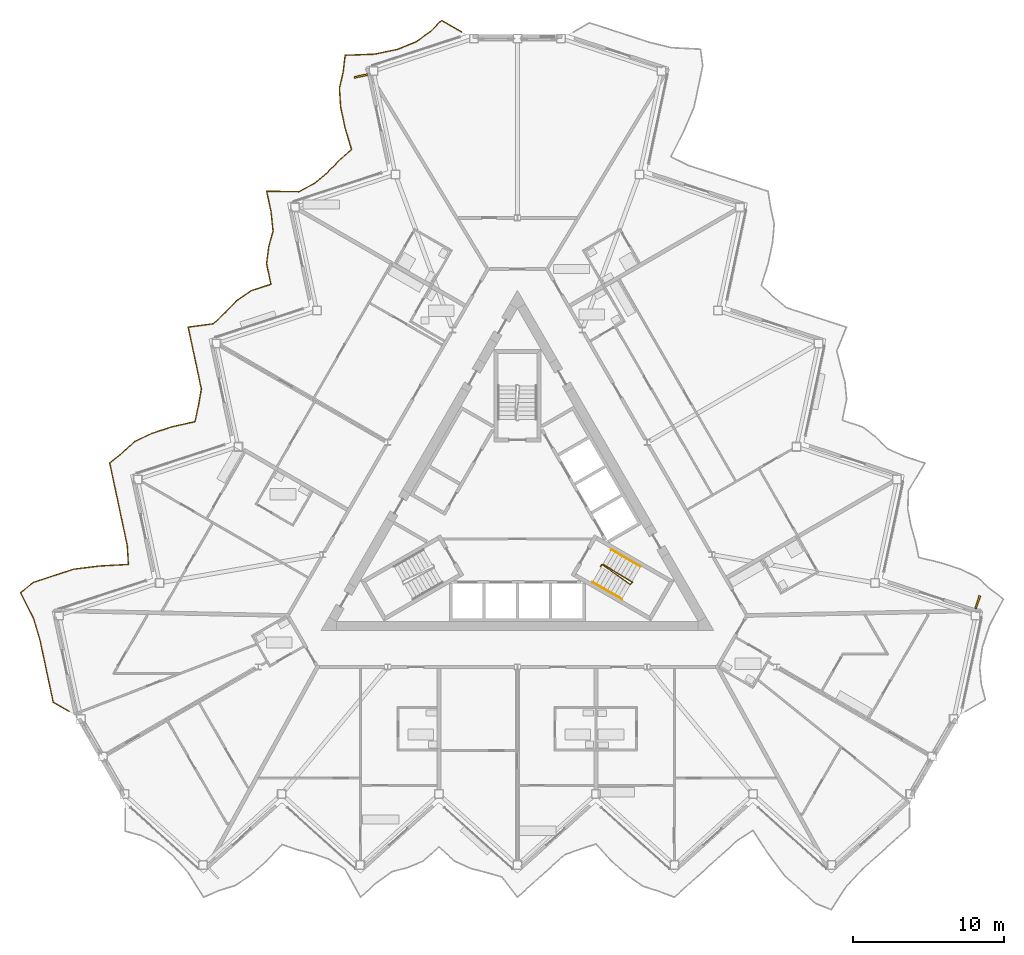
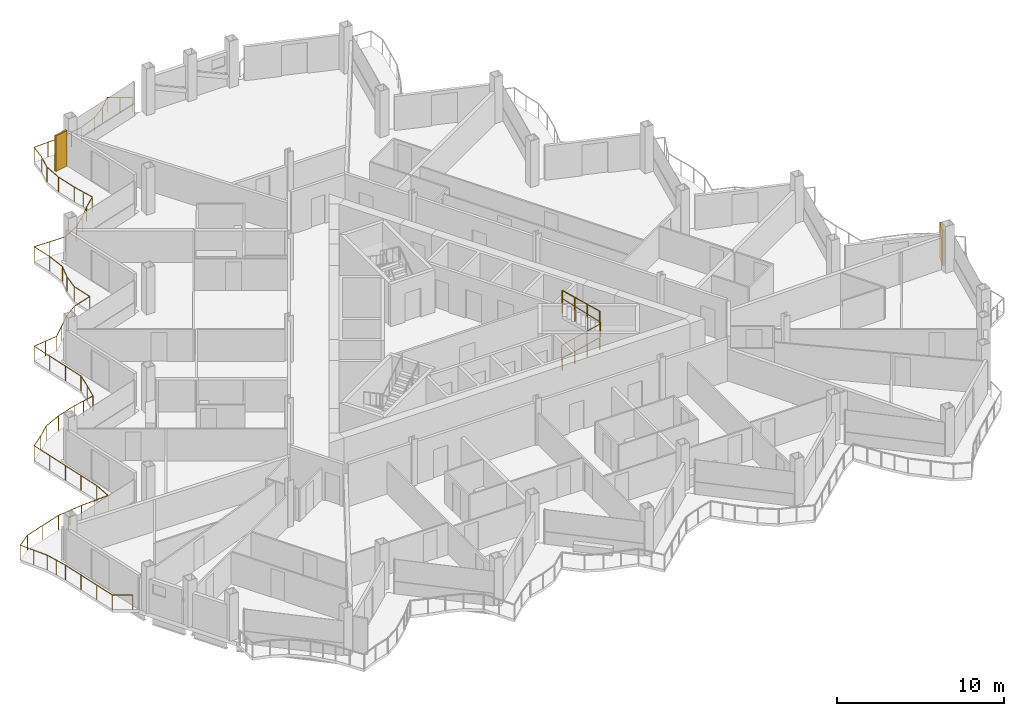
# One storey, part 24 of 27: 4 railings, 2 shading devices.
"""IFC4 building model written with IfcOpenShell, lengths in metres."""

from ifc_helpers import new_model, si_unit, direction, frame, origin, origin_2d, place, context, subcontext, project, spatial, rectangle, circle, extrude, material, layer, layer_set, type_object, element, save


model = new_model("IFC4")

# Units and contexts
model_context = context("Model", 3, precision=1e-05, world=origin(), true_north=direction((0.0, 1.0)))
body_context = subcontext(model_context, "Body", "Model", "MODEL_VIEW")
ifc_project = project(units=[si_unit("LENGTHUNIT", "METRE"), si_unit("AREAUNIT", "SQUARE_METRE"), si_unit("VOLUMEUNIT", "CUBIC_METRE"), si_unit("PLANEANGLEUNIT", "RADIAN"), si_unit("MASSUNIT", "GRAM", prefix="KILO")], contexts=[model_context])

# Site, building, storey
site_placement = place(None, origin())
site = spatial("IfcSite", under=ifc_project, at=site_placement, CompositionType="ELEMENT")
building_placement = place(site_placement, origin())
building = spatial("IfcBuilding", under=site, at=building_placement, Name="Cormorant Prow Tower", CompositionType="ELEMENT")
storey_placement = place(building_placement, frame((0.0, 0.0, 312.0)))
storey = spatial("IfcBuildingStorey", under=building, at=storey_placement, Name="L68", CompositionType="ELEMENT", Elevation=312.0)

# Railings
ifc_material_1 = material(Name="Aluminium 6063-T6", Category="aluminium")
railing_type_1 = type_object("IfcRailingType", Name="Balcony guard 1100", PredefinedType="GUARDRAIL", material=ifc_material_1)
railing_1_placement = place(storey_placement, frame((-3.703369140625, 32.118896484375, 0.0)))
element("IfcRailing", 1, at=railing_1_placement, inside=storey, type_object=railing_type_1, Name="Balcony guard WNW", PredefinedType="GUARDRAIL", context=body_context, shape_type="SweptSolid", body=[
    extrude(circle(Radius=0.02392578125, at=origin_2d()), frame((0.0, 0.0, 1.076171875), z_axis=(-0.865990296034, 0.500060803479, 0.0), x_axis=(-0.500060803479, -0.865990296034, 0.0)), (0.0, 0.0, 1.0), 1.519775390625),
    extrude(circle(Radius=0.02392578125, at=origin_2d()), frame((-1.316162109375, 0.760009765625, 1.076171875), z_axis=(-0.710162172845, -0.704038129834, 0.0), x_axis=(0.704038129834, -0.710162172845, 0.0)), (0.0, 0.0, 1.0), 1.076416015625),
    extrude(circle(Radius=0.02392578125, at=origin_2d()), frame((-2.08056640625, 0.002197265625, 1.076171875), z_axis=(-0.81465682951, -0.579943316311, 0.0), x_axis=(0.579943316311, -0.81465682951, 0.0)), (0.0, 0.0, 1.0), 1.14208984375),
    extrude(circle(Radius=0.02392578125, at=origin_2d()), frame((-3.010986328125, -0.66015625, 1.076171875), z_axis=(-0.92494386987, -0.380103719516, 0.0), x_axis=(0.380103719516, -0.92494386987, 0.0)), (0.0, 0.0, 1.0), 1.3115234375),
    extrude(circle(Radius=0.02392578125, at=origin_2d()), frame((-4.22412109375, -1.15869140625, 1.076171875), z_axis=(-0.9793543677, -0.202150989281, 0.0), x_axis=(0.202150989281, -0.9793543677, 0.0)), (0.0, 0.0, 1.0), 1.562744140625),
    extrude(circle(Radius=0.02392578125, at=origin_2d()), frame((-5.754638671875, -1.474609375, 1.076171875), z_axis=(-0.999265055246, -0.038332093131, 0.0), x_axis=(0.038332093131, -0.999265055246, 0.0)), (0.0, 0.0, 1.0), 1.948974609375),
    extrude(circle(Radius=0.02392578125, at=origin_2d()), frame((-7.7021484375, -1.54931640625, 1.076171875), z_axis=(-0.117041712082, -0.99312699975, 0.0), x_axis=(0.99312699975, -0.117041712082, 0.0)), (0.0, 0.0, 1.0), 1.130615234375),
    extrude(circle(Radius=0.02392578125, at=origin_2d()), frame((-7.83447265625, -2.672119140625, 1.076171875), z_axis=(-0.224301380547, -0.974519825701, 0.0), x_axis=(0.974519825701, -0.224301380547, 0.0)), (0.0, 0.0, 1.0), 1.086181640625),
    extrude(circle(Radius=0.02392578125, at=origin_2d()), frame((-8.078125, -3.730712890625, 1.076171875), z_axis=(0.063036409454, -0.998011227934, 0.0), x_axis=(0.998011227934, 0.063036409454, 0.0)), (0.0, 0.0, 1.0), 1.2470703125),
    extrude(circle(Radius=0.02392578125, at=origin_2d()), frame((-7.99951171875, -4.975341796875, 1.076171875), z_axis=(0.20789427571, -0.978151302267, 0.0), x_axis=(0.978151302267, 0.20789427571, 0.0)), (0.0, 0.0, 1.0), 1.3974609375),
    extrude(circle(Radius=0.02392578125, at=origin_2d()), frame((-7.708984375, -6.34228515625, 1.076171875), z_axis=(0.283244586223, -0.959047707038, 0.0), x_axis=(0.959047707038, 0.283244586223, 0.0)), (0.0, 0.0, 1.0), 1.507568359375),
    extrude(circle(Radius=0.02392578125, at=origin_2d()), frame((-7.281982421875, -7.7880859375, 1.076171875), z_axis=(-0.748932723134, -0.662646041427, 0.0), x_axis=(0.662646041427, -0.748932723134, 0.0)), (0.0, 0.0, 1.0), 1.094970703125),
    extrude(circle(Radius=0.02392578125, at=origin_2d()), frame((-8.10205078125, -8.513671875, 1.076171875), z_axis=(-0.693983566314, -0.719990840002, 0.0), x_axis=(0.719990840002, -0.693983566314, 0.0)), (0.0, 0.0, 1.0), 1.070068359375),
    extrude(circle(Radius=0.02392578125, at=origin_2d()), frame((-8.8447265625, -9.2841796875, 1.076171875), z_axis=(-0.760131936897, -0.64976875772, 0.0), x_axis=(0.64976875772, -0.760131936897, 0.0)), (0.0, 0.0, 1.0), 1.1015625),
    extrude(circle(Radius=0.02392578125, at=origin_2d()), frame((-9.68212890625, -10.0, 1.076171875), z_axis=(-0.881188692955, -0.472764727331, 0.0), x_axis=(0.472764727331, -0.881188692955, 0.0)), (0.0, 0.0, 1.0), 1.221923828125),
    extrude(circle(Radius=0.02392578125, at=origin_2d()), frame((-10.7587890625, -10.57763671875, 1.076171875), z_axis=(-0.999873845917, 0.015883710238, 0.0), x_axis=(-0.015883710238, -0.999873845917, 0.0)), (0.0, 0.0, 1.0), 2.136474609375),
    extrude(circle(Radius=0.02392578125, at=origin_2d()), frame((-12.89501953125, -10.543701171875, 1.076171875), z_axis=(0.208061417088, -0.978115763455, 0.0), x_axis=(0.978115763455, 0.208061417088, 0.0)), (0.0, 0.0, 1.0), 1.3974609375),
    extrude(circle(Radius=0.02392578125, at=origin_2d()), frame((-12.604248046875, -11.91064453125, 1.076171875), z_axis=(0.103872698517, -0.99459060045, 0.0), x_axis=(0.99459060045, 0.103872698517, 0.0)), (0.0, 0.0, 1.0), 1.283203125),
    extrude(circle(Radius=0.02392578125, at=origin_2d()), frame((-12.470947265625, -13.18701171875, 1.076171875), z_axis=(-0.267197772915, -0.963641712541, 0.0), x_axis=(0.963641712541, -0.267197772915, 0.0)), (0.0, 0.0, 1.0), 1.07275390625),
    extrude(circle(Radius=0.02392578125, at=origin_2d()), frame((-12.757568359375, -14.220703125, 1.076171875), z_axis=(-0.128253646975, -0.991741398772, 0.0), x_axis=(0.991741398772, -0.128253646975, 0.0)), (0.0, 0.0, 1.0), 1.125),
    extrude(circle(Radius=0.02392578125, at=origin_2d()), frame((-12.90185546875, -15.33642578125, 1.076171875), z_axis=(0.20785875582, -0.978158850918, 0.0), x_axis=(0.978158850918, 0.20785875582, 0.0)), (0.0, 0.0, 1.0), 1.397705078125),
    extrude(circle(Radius=0.02392578125, at=origin_2d()), frame((-12.611328125, -16.70361328125, 1.076171875), z_axis=(-0.951049473261, -0.309038669765, 0.0), x_axis=(0.309038669765, -0.951049473261, 0.0)), (0.0, 0.0, 1.0), 1.3974609375),
    extrude(circle(Radius=0.02392578125, at=origin_2d()), frame((-13.9404296875, -17.135498046875, 1.076171875), z_axis=(-0.815520159439, -0.578728666604, 0.0), x_axis=(0.578728666604, -0.815520159439, 0.0)), (0.0, 0.0, 1.0), 1.142333984375),
    extrude(circle(Radius=0.02392578125, at=origin_2d()), frame((-14.8720703125, -17.796630859375, 1.076171875), z_axis=(-0.704259482278, -0.709942660799, 0.0), x_axis=(0.709942660799, -0.704259482278, 0.0)), (0.0, 0.0, 1.0), 1.073974609375),
    extrude(circle(Radius=0.02392578125, at=origin_2d()), frame((-15.62841796875, -18.55908203125, 1.076171875), z_axis=(-0.717321359656, -0.696742468191, 0.0), x_axis=(0.696742468191, -0.717321359656, 0.0)), (0.0, 0.0, 1.0), 1.07958984375),
    extrude(circle(Radius=0.02392578125, at=origin_2d()), frame((-16.40283203125, -19.311279296875, 1.076171875), z_axis=(-0.991079275341, -0.133273665775, 0.0), x_axis=(0.133273665775, -0.991079275341, 0.0)), (0.0, 0.0, 1.0), 1.699951171875),
    extrude(circle(Radius=0.02392578125, at=origin_2d()), frame((-18.087646484375, -19.537841796875, 1.076171875), z_axis=(0.20789427571, -0.978151302267, 0.0), x_axis=(0.978151302267, 0.20789427571, 0.0)), (0.0, 0.0, 1.0), 1.3974609375),
    extrude(circle(Radius=0.02392578125, at=origin_2d()), frame((-17.797119140625, -20.90478515625, 1.076171875), z_axis=(0.20789427571, -0.978151302267, 0.0), x_axis=(0.978151302267, 0.20789427571, 0.0)), (0.0, 0.0, 1.0), 1.3974609375),
    extrude(circle(Radius=0.02392578125, at=origin_2d()), frame((-17.506591796875, -22.271728515625, 1.076171875), z_axis=(0.20785875582, -0.978158850918, 0.0), x_axis=(0.978158850918, 0.20785875582, 0.0)), (0.0, 0.0, 1.0), 1.397705078125),
    extrude(circle(Radius=0.02392578125, at=origin_2d()), frame((-17.216064453125, -23.638916015625, 1.076171875), z_axis=(-0.17388616838, -0.984765759176, 0.0), x_axis=(0.984765759176, -0.17388616838, 0.0)), (0.0, 0.0, 1.0), 1.10498046875),
    extrude(circle(Radius=0.02392578125, at=origin_2d()), frame((-17.408203125, -24.72705078125, 1.076171875), z_axis=(-0.210079095134, -0.977684393753, 0.0), x_axis=(0.977684393753, -0.210079095134, 0.0)), (0.0, 0.0, 1.0), 1.09130859375),
    extrude(circle(Radius=0.02392578125, at=origin_2d()), frame((-17.637451171875, -25.7939453125, 1.076171875), z_axis=(-0.975723893204, -0.219004301854, 0.0), x_axis=(0.219004301854, -0.975723893204, 0.0)), (0.0, 0.0, 1.0), 1.53271484375),
    extrude(circle(Radius=0.02392578125, at=origin_2d()), frame((-19.133056640625, -26.129638671875, 1.076171875), z_axis=(-0.951066153506, -0.308987332516, 0.0), x_axis=(0.308987332516, -0.951066153506, 0.0)), (0.0, 0.0, 1.0), 1.397705078125),
    extrude(circle(Radius=0.02392578125, at=origin_2d()), frame((-20.46240234375, -26.5615234375, 1.076171875), z_axis=(-0.906232340919, -0.422780018771, 0.0), x_axis=(0.422780018771, -0.906232340919, 0.0)), (0.0, 0.0, 1.0), 1.267578125),
    extrude(circle(Radius=0.02392578125, at=origin_2d()), frame((-21.611083984375, -27.097412109375, 1.076171875), z_axis=(-0.738529151051, -0.674221545968, 0.0), x_axis=(0.674221545968, -0.738529151051, 0.0)), (0.0, 0.0, 1.0), 1.089599609375),
    extrude(circle(Radius=0.02392578125, at=origin_2d()), frame((-22.415771484375, -27.83203125, 1.076171875), z_axis=(-0.777280642289, -0.629154037675, 0.0), x_axis=(0.629154037675, -0.777280642289, 0.0)), (0.0, 0.0, 1.0), 1.112548828125),
    extrude(circle(Radius=0.02392578125, at=origin_2d()), frame((-23.280517578125, -28.531982421875, 1.076171875), z_axis=(0.20789427571, -0.978151302267, 0.0), x_axis=(0.978151302267, 0.20789427571, 0.0)), (0.0, 0.0, 1.0), 1.3974609375),
    extrude(circle(Radius=0.02392578125, at=origin_2d()), frame((-22.989990234375, -29.89892578125, 1.076171875), z_axis=(0.20785875582, -0.978158850918, 0.0), x_axis=(0.978158850918, 0.20785875582, 0.0)), (0.0, 0.0, 1.0), 1.397705078125),
    extrude(circle(Radius=0.02392578125, at=origin_2d()), frame((-22.699462890625, -31.26611328125, 1.076171875), z_axis=(0.20789427571, -0.978151302267, 0.0), x_axis=(0.978151302267, 0.20789427571, 0.0)), (0.0, 0.0, 1.0), 1.3974609375),
    extrude(circle(Radius=0.02392578125, at=origin_2d()), frame((-22.408935546875, -32.633056640625, 1.076171875), z_axis=(0.20789427571, -0.978151302267, 0.0), x_axis=(0.978151302267, 0.20789427571, 0.0)), (0.0, 0.0, 1.0), 1.3974609375),
    extrude(circle(Radius=0.02392578125, at=origin_2d()), frame((-22.118408203125, -34.0, 1.076171875), z_axis=(0.05871051141, -0.998275050199, 0.0), x_axis=(0.998275050199, 0.05871051141, 0.0)), (0.0, 0.0, 1.0), 1.243408203125),
    extrude(circle(Radius=0.02392578125, at=origin_2d()), frame((-22.04541015625, -35.2412109375, 1.076171875), z_axis=(-0.998546382965, -0.053899175022, 0.0), x_axis=(0.053899175022, -0.998546382965, 0.0)), (0.0, 0.0, 1.0), 1.90234375),
    extrude(circle(Radius=0.02392578125, at=origin_2d()), frame((-23.945068359375, -35.34375, 1.076171875), z_axis=(-0.992408117308, -0.122988327502, 0.0), x_axis=(0.122988327502, -0.992408117308, 0.0)), (0.0, 0.0, 1.0), 1.72314453125),
    extrude(circle(Radius=0.02392578125, at=origin_2d()), frame((-25.655029296875, -35.5556640625, 1.076171875), z_axis=(-0.951049473261, -0.309038669765, 0.0), x_axis=(0.309038669765, -0.951049473261, 0.0)), (0.0, 0.0, 1.0), 1.3974609375),
    extrude(circle(Radius=0.02392578125, at=origin_2d()), frame((-26.984130859375, -35.987548828125, 1.076171875), z_axis=(-0.949678219118, -0.313227202095, 0.0), x_axis=(0.313227202095, -0.949678219118, 0.0)), (0.0, 0.0, 1.0), 1.39208984375),
    extrude(circle(Radius=0.02392578125, at=origin_2d()), frame((-28.30615234375, -36.423583984375, 1.076171875), z_axis=(-0.789129327952, -0.61422707834, 0.0), x_axis=(0.61422707834, -0.789129327952, 0.0)), (0.0, 0.0, 1.0), 1.120849609375),
    extrude(circle(Radius=0.02392578125, at=origin_2d()), frame((-29.190673828125, -37.112060546875, 1.076171875), z_axis=(0.455016499701, -0.890483006576, 0.0), x_axis=(0.890483006576, 0.455016499701, 0.0)), (0.0, 0.0, 1.0), 1.91064453125),
    extrude(circle(Radius=0.02392578125, at=origin_2d()), frame((-28.3212890625, -38.8134765625, 1.076171875), z_axis=(0.284259088615, -0.95874750093, 0.0), x_axis=(0.95874750093, 0.284259088615, 0.0)), (0.0, 0.0, 1.0), 1.509033203125),
    extrude(circle(Radius=0.02392578125, at=origin_2d()), frame((-27.892333984375, -40.26025390625, 1.076171875), z_axis=(0.208061417088, -0.978115763455, 0.0), x_axis=(0.978115763455, 0.208061417088, 0.0)), (0.0, 0.0, 1.0), 1.3974609375),
    extrude(circle(Radius=0.02392578125, at=origin_2d()), frame((-27.6015625, -41.627197265625, 1.076171875), z_axis=(0.20789427571, -0.978151302267, 0.0), x_axis=(0.978151302267, 0.20789427571, 0.0)), (0.0, 0.0, 1.0), 1.3974609375),
    extrude(circle(Radius=0.02392578125, at=origin_2d()), frame((-27.31103515625, -42.994140625, 1.076171875), z_axis=(0.20789427571, -0.978151302267, 0.0), x_axis=(0.978151302267, 0.20789427571, 0.0)), (0.0, 0.0, 1.0), 1.3974609375),
    extrude(circle(Radius=0.02392578125, at=origin_2d()), frame((-27.0205078125, -44.361083984375, 1.076171875), z_axis=(0.865955602162, -0.500120880472, 0.0), x_axis=(0.500120880472, 0.865955602162, 0.0)), (0.0, 0.0, 1.0), 1.219970703125),
    extrude(circle(Radius=0.02099609375, at=origin_2d()), origin(), (0.0, 0.0, 1.0), 1.052001953125),
    extrude(circle(Radius=0.02099609375, at=origin_2d()), frame((-0.658203125, 0.3798828125, 0.0)), (0.0, 0.0, 1.0), 1.052001953125),
    extrude(circle(Radius=0.02099609375, at=origin_2d()), frame((-1.316162109375, 0.760009765625, 0.0)), (0.0, 0.0, 1.0), 1.052001953125),
    extrude(circle(Radius=0.02099609375, at=origin_2d()), frame((-2.08056640625, 0.002197265625, 0.0)), (0.0, 0.0, 1.0), 1.052001953125),
    extrude(circle(Radius=0.02099609375, at=origin_2d()), frame((-3.010986328125, -0.66015625, 0.0)), (0.0, 0.0, 1.0), 1.052001953125),
    extrude(circle(Radius=0.02099609375, at=origin_2d()), frame((-4.22412109375, -1.15869140625, 0.0)), (0.0, 0.0, 1.0), 1.052001953125),
    extrude(circle(Radius=0.02099609375, at=origin_2d()), frame((-4.9892578125, -1.316650390625, 0.0)), (0.0, 0.0, 1.0), 1.052001953125),
    extrude(circle(Radius=0.02099609375, at=origin_2d()), frame((-5.754638671875, -1.474609375, 0.0)), (0.0, 0.0, 1.0), 1.052001953125),
    extrude(circle(Radius=0.02099609375, at=origin_2d()), frame((-6.728515625, -1.511962890625, 0.0)), (0.0, 0.0, 1.0), 1.052001953125),
    extrude(circle(Radius=0.02099609375, at=origin_2d()), frame((-7.7021484375, -1.54931640625, 0.0)), (0.0, 0.0, 1.0), 1.052001953125),
    extrude(circle(Radius=0.02099609375, at=origin_2d()), frame((-7.83447265625, -2.672119140625, 0.0)), (0.0, 0.0, 1.0), 1.052001953125),
    extrude(circle(Radius=0.02099609375, at=origin_2d()), frame((-8.078125, -3.730712890625, 0.0)), (0.0, 0.0, 1.0), 1.052001953125),
    extrude(circle(Radius=0.02099609375, at=origin_2d()), frame((-7.99951171875, -4.975341796875, 0.0)), (0.0, 0.0, 1.0), 1.052001953125),
    extrude(circle(Radius=0.02099609375, at=origin_2d()), frame((-7.708984375, -6.34228515625, 0.0)), (0.0, 0.0, 1.0), 1.052001953125),
    extrude(circle(Radius=0.02099609375, at=origin_2d()), frame((-7.49560546875, -7.065185546875, 0.0)), (0.0, 0.0, 1.0), 1.052001953125),
    extrude(circle(Radius=0.02099609375, at=origin_2d()), frame((-7.281982421875, -7.7880859375, 0.0)), (0.0, 0.0, 1.0), 1.052001953125),
    extrude(circle(Radius=0.02099609375, at=origin_2d()), frame((-8.10205078125, -8.513671875, 0.0)), (0.0, 0.0, 1.0), 1.052001953125),
    extrude(circle(Radius=0.02099609375, at=origin_2d()), frame((-8.8447265625, -9.2841796875, 0.0)), (0.0, 0.0, 1.0), 1.052001953125),
    extrude(circle(Radius=0.02099609375, at=origin_2d()), frame((-9.68212890625, -10.0, 0.0)), (0.0, 0.0, 1.0), 1.052001953125),
    extrude(circle(Radius=0.02099609375, at=origin_2d()), frame((-10.7587890625, -10.57763671875, 0.0)), (0.0, 0.0, 1.0), 1.052001953125),
    extrude(circle(Radius=0.02099609375, at=origin_2d()), frame((-11.826904296875, -10.560546875, 0.0)), (0.0, 0.0, 1.0), 1.052001953125),
    extrude(circle(Radius=0.02099609375, at=origin_2d()), frame((-12.89501953125, -10.543701171875, 0.0)), (0.0, 0.0, 1.0), 1.052001953125),
    extrude(circle(Radius=0.02099609375, at=origin_2d()), frame((-12.604248046875, -11.91064453125, 0.0)), (0.0, 0.0, 1.0), 1.052001953125),
    extrude(circle(Radius=0.02099609375, at=origin_2d()), frame((-12.470947265625, -13.18701171875, 0.0)), (0.0, 0.0, 1.0), 1.052001953125),
    extrude(circle(Radius=0.02099609375, at=origin_2d()), frame((-12.757568359375, -14.220703125, 0.0)), (0.0, 0.0, 1.0), 1.052001953125),
    extrude(circle(Radius=0.02099609375, at=origin_2d()), frame((-12.90185546875, -15.33642578125, 0.0)), (0.0, 0.0, 1.0), 1.052001953125),
    extrude(circle(Radius=0.02099609375, at=origin_2d()), frame((-12.611328125, -16.70361328125, 0.0)), (0.0, 0.0, 1.0), 1.052001953125),
    extrude(circle(Radius=0.02099609375, at=origin_2d()), frame((-13.9404296875, -17.135498046875, 0.0)), (0.0, 0.0, 1.0), 1.052001953125),
    extrude(circle(Radius=0.02099609375, at=origin_2d()), frame((-14.8720703125, -17.796630859375, 0.0)), (0.0, 0.0, 1.0), 1.052001953125),
    extrude(circle(Radius=0.02099609375, at=origin_2d()), frame((-15.62841796875, -18.55908203125, 0.0)), (0.0, 0.0, 1.0), 1.052001953125),
    extrude(circle(Radius=0.02099609375, at=origin_2d()), frame((-16.40283203125, -19.311279296875, 0.0)), (0.0, 0.0, 1.0), 1.052001953125),
    extrude(circle(Radius=0.02099609375, at=origin_2d()), frame((-17.2451171875, -19.424560546875, 0.0)), (0.0, 0.0, 1.0), 1.052001953125),
    extrude(circle(Radius=0.02099609375, at=origin_2d()), frame((-18.087646484375, -19.537841796875, 0.0)), (0.0, 0.0, 1.0), 1.052001953125),
    extrude(circle(Radius=0.02099609375, at=origin_2d()), frame((-17.797119140625, -20.90478515625, 0.0)), (0.0, 0.0, 1.0), 1.052001953125),
    extrude(circle(Radius=0.02099609375, at=origin_2d()), frame((-17.506591796875, -22.271728515625, 0.0)), (0.0, 0.0, 1.0), 1.052001953125),
    extrude(circle(Radius=0.02099609375, at=origin_2d()), frame((-17.216064453125, -23.638916015625, 0.0)), (0.0, 0.0, 1.0), 1.052001953125),
    extrude(circle(Radius=0.02099609375, at=origin_2d()), frame((-17.408203125, -24.72705078125, 0.0)), (0.0, 0.0, 1.0), 1.052001953125),
    extrude(circle(Radius=0.02099609375, at=origin_2d()), frame((-17.637451171875, -25.7939453125, 0.0)), (0.0, 0.0, 1.0), 1.052001953125),
    extrude(circle(Radius=0.02099609375, at=origin_2d()), frame((-18.38525390625, -25.9619140625, 0.0)), (0.0, 0.0, 1.0), 1.052001953125),
    extrude(circle(Radius=0.02099609375, at=origin_2d()), frame((-19.133056640625, -26.129638671875, 0.0)), (0.0, 0.0, 1.0), 1.052001953125),
    extrude(circle(Radius=0.02099609375, at=origin_2d()), frame((-20.46240234375, -26.5615234375, 0.0)), (0.0, 0.0, 1.0), 1.052001953125),
    extrude(circle(Radius=0.02099609375, at=origin_2d()), frame((-21.611083984375, -27.097412109375, 0.0)), (0.0, 0.0, 1.0), 1.052001953125),
    extrude(circle(Radius=0.02099609375, at=origin_2d()), frame((-22.415771484375, -27.83203125, 0.0)), (0.0, 0.0, 1.0), 1.052001953125),
    extrude(circle(Radius=0.02099609375, at=origin_2d()), frame((-23.280517578125, -28.531982421875, 0.0)), (0.0, 0.0, 1.0), 1.052001953125),
    extrude(circle(Radius=0.02099609375, at=origin_2d()), frame((-22.989990234375, -29.89892578125, 0.0)), (0.0, 0.0, 1.0), 1.052001953125),
    extrude(circle(Radius=0.02099609375, at=origin_2d()), frame((-22.699462890625, -31.26611328125, 0.0)), (0.0, 0.0, 1.0), 1.052001953125),
    extrude(circle(Radius=0.02099609375, at=origin_2d()), frame((-22.408935546875, -32.633056640625, 0.0)), (0.0, 0.0, 1.0), 1.052001953125),
    extrude(circle(Radius=0.02099609375, at=origin_2d()), frame((-22.118408203125, -34.0, 0.0)), (0.0, 0.0, 1.0), 1.052001953125),
    extrude(circle(Radius=0.02099609375, at=origin_2d()), frame((-22.04541015625, -35.2412109375, 0.0)), (0.0, 0.0, 1.0), 1.052001953125),
    extrude(circle(Radius=0.02099609375, at=origin_2d()), frame((-22.9951171875, -35.29248046875, 0.0)), (0.0, 0.0, 1.0), 1.052001953125),
    extrude(circle(Radius=0.02099609375, at=origin_2d()), frame((-23.945068359375, -35.34375, 0.0)), (0.0, 0.0, 1.0), 1.052001953125),
    extrude(circle(Radius=0.02099609375, at=origin_2d()), frame((-24.800048828125, -35.44970703125, 0.0)), (0.0, 0.0, 1.0), 1.052001953125),
    extrude(circle(Radius=0.02099609375, at=origin_2d()), frame((-25.655029296875, -35.5556640625, 0.0)), (0.0, 0.0, 1.0), 1.052001953125),
    extrude(circle(Radius=0.02099609375, at=origin_2d()), frame((-26.984130859375, -35.987548828125, 0.0)), (0.0, 0.0, 1.0), 1.052001953125),
    extrude(circle(Radius=0.02099609375, at=origin_2d()), frame((-28.30615234375, -36.423583984375, 0.0)), (0.0, 0.0, 1.0), 1.052001953125),
    extrude(circle(Radius=0.02099609375, at=origin_2d()), frame((-29.190673828125, -37.112060546875, 0.0)), (0.0, 0.0, 1.0), 1.052001953125),
    extrude(circle(Radius=0.02099609375, at=origin_2d()), frame((-28.755859375, -37.962890625, 0.0)), (0.0, 0.0, 1.0), 1.052001953125),
    extrude(circle(Radius=0.02099609375, at=origin_2d()), frame((-28.3212890625, -38.8134765625, 0.0)), (0.0, 0.0, 1.0), 1.052001953125),
    extrude(circle(Radius=0.02099609375, at=origin_2d()), frame((-28.10693359375, -39.536865234375, 0.0)), (0.0, 0.0, 1.0), 1.052001953125),
    extrude(circle(Radius=0.02099609375, at=origin_2d()), frame((-27.892333984375, -40.26025390625, 0.0)), (0.0, 0.0, 1.0), 1.052001953125),
    extrude(circle(Radius=0.02099609375, at=origin_2d()), frame((-27.6015625, -41.627197265625, 0.0)), (0.0, 0.0, 1.0), 1.052001953125),
    extrude(circle(Radius=0.02099609375, at=origin_2d()), frame((-27.31103515625, -42.994140625, 0.0)), (0.0, 0.0, 1.0), 1.052001953125),
    extrude(circle(Radius=0.02099609375, at=origin_2d()), frame((-27.0205078125, -44.361083984375, 0.0)), (0.0, 0.0, 1.0), 1.052001953125),
    extrude(circle(Radius=0.02099609375, at=origin_2d()), frame((-25.964111328125, -44.97119140625, 0.0)), (0.0, 0.0, 1.0), 1.052001953125),
])
ifc_material_2 = material(Name="Stainless steel", Category="steel")
railing_type_2 = type_object("IfcRailingType", Name="Stair guard 1100", PredefinedType="GUARDRAIL", material=ifc_material_2)
railing_2_placement = place(storey_placement, frame((5.510009765625, -3.267822265625, 0.0)))
element("IfcRailing", 2, at=railing_2_placement, inside=storey, type_object=railing_type_2, Name="L68 ST2 stair guard 1", PredefinedType="GUARDRAIL", context=body_context, shape_type="SweptSolid", body=[
    extrude(circle(Radius=0.02392578125, at=origin_2d()), frame((0.0, 0.0, 1.076171875), z_axis=(0.501036270542, 0.865426285481, 0.0), x_axis=(-0.865426285481, 0.501036270542, 0.0)), (0.0, 0.0, 1.0), 0.150146484375),
    extrude(circle(Radius=0.02392578125, at=origin_2d()), frame((0.0751953125, 0.1298828125, 1.076171875), z_axis=(0.658670593711, -0.461060875852, 0.594622500196), x_axis=(0.573455215813, 0.819236910458, 0.0)), (0.0, 0.0, 1.0), 2.85888671875),
    extrude(circle(Radius=0.02392578125, at=origin_2d()), frame((1.958251953125, -1.188232421875, 2.77587890625), z_axis=(0.695164929852, 0.718850276695, 0.0), x_axis=(-0.718850276695, 0.695164929852, 0.0)), (0.0, 0.0, 1.0), 0.2060546875),
    extrude(circle(Radius=0.02392578125, at=origin_2d()), frame((2.1015625, -1.0400390625, 2.77587890625), z_axis=(-0.686515364547, 0.416565300991, 0.595961411712), x_axis=(-0.518752825935, -0.854924268918, 0.0)), (0.0, 0.0, 1.0), 2.8525390625),
    extrude(circle(Radius=0.02099609375, at=origin_2d()), origin(), (0.0, 0.0, 1.0), 1.052001953125),
    extrude(circle(Radius=0.02099609375, at=origin_2d()), frame((0.0751953125, 0.1298828125, 0.0)), (0.0, 0.0, 1.0), 1.052001953125),
    extrude(circle(Radius=0.02099609375, at=origin_2d()), frame((0.702880859375, -0.3095703125, 0.566650390625)), (0.0, 0.0, 1.0), 1.052001953125),
    extrude(circle(Radius=0.02099609375, at=origin_2d()), frame((1.33056640625, -0.748779296875, 1.13330078125)), (0.0, 0.0, 1.0), 1.052001953125),
    extrude(circle(Radius=0.02099609375, at=origin_2d()), frame((1.958251953125, -1.188232421875, 1.699951171875)), (0.0, 0.0, 1.0), 1.052001953125),
    extrude(circle(Radius=0.02099609375, at=origin_2d()), frame((2.1015625, -1.0400390625, 1.699951171875)), (0.0, 0.0, 1.0), 1.052001953125),
    extrude(circle(Radius=0.02099609375, at=origin_2d()), frame((1.44873046875, -0.64404296875, 2.2666015625)), (0.0, 0.0, 1.0), 1.052001953125),
    extrude(circle(Radius=0.02099609375, at=origin_2d()), frame((0.796142578125, -0.247802734375, 2.833251953125)), (0.0, 0.0, 1.0), 1.052001953125),
    extrude(circle(Radius=0.02099609375, at=origin_2d()), frame((0.143310546875, 0.148193359375, 3.39990234375)), (0.0, 0.0, 1.0), 1.052001953125),
])
ifc_material_3 = material(Name="Stainless steel", Category="steel")
railing_type_3 = type_object("IfcRailingType", Name="Stair handrail 900", PredefinedType="HANDRAIL", material=ifc_material_3)
railing_3_placement = place(storey_placement, frame((4.968994140625, -4.30517578125, 0.18896484375)))
element("IfcRailing", 3, at=railing_3_placement, inside=storey, type_object=railing_type_3, Name="L68 ST2 stair handrail 1", PredefinedType="HANDRAIL", context=body_context, shape_type="SweptSolid", body=[
    extrude(circle(Radius=0.02392578125, at=origin_2d()), frame((0.0, 0.0, 0.8759765625), z_axis=(0.71790592183, -0.414569209485, 0.559234707389), x_axis=(0.500077830873, 0.865980463445, 0.0)), (0.0, 0.0, 1.0), 2.701904296875),
    extrude(circle(Radius=0.02099609375, at=origin_2d()), origin(), (0.0, 0.0, 1.0), 0.851806640625),
    extrude(circle(Radius=0.02099609375, at=origin_2d()), frame((0.646484375, -0.373291015625, 0.503662109375)), (0.0, 0.0, 1.0), 0.851806640625),
    extrude(circle(Radius=0.02099609375, at=origin_2d()), frame((1.293212890625, -0.746826171875, 1.00732421875)), (0.0, 0.0, 1.0), 0.851806640625),
    extrude(circle(Radius=0.02099609375, at=origin_2d()), frame((1.939697265625, -1.1201171875, 1.510986328125)), (0.0, 0.0, 1.0), 0.851806640625),
])
railing_4_placement = place(storey_placement, frame((8.15283203125, -3.2705078125, 1.888916015625)))
element("IfcRailing", 4, at=railing_4_placement, inside=storey, type_object=railing_type_3, Name="L68 ST2 stair handrail 2", PredefinedType="HANDRAIL", context=body_context, shape_type="SweptSolid", body=[
    extrude(circle(Radius=0.02392578125, at=origin_2d()), frame((0.0, 0.0, 0.8759765625), z_axis=(-0.717976596433, 0.414467486514, 0.559219375198), x_axis=(-0.49994888933, -0.866054910533, 0.0)), (0.0, 0.0, 1.0), 2.701904296875),
    extrude(circle(Radius=0.02099609375, at=origin_2d()), origin(), (0.0, 0.0, 1.0), 0.851806640625),
    extrude(circle(Radius=0.02099609375, at=origin_2d()), frame((-0.646728515625, 0.373291015625, 0.503662109375)), (0.0, 0.0, 1.0), 0.851806640625),
    extrude(circle(Radius=0.02099609375, at=origin_2d()), frame((-1.293212890625, 0.74658203125, 1.00732421875)), (0.0, 0.0, 1.0), 0.851806640625),
    extrude(circle(Radius=0.02099609375, at=origin_2d()), frame((-1.93994140625, 1.119873046875, 1.510986328125)), (0.0, 0.0, 1.0), 0.851806640625),
])

# Shading devices
ifc_material_4 = material(Name="Terracotta", Category="masonry")
ifc_layer = layer(ifc_material_4, 0.1201171875)
ifc_layer_set = layer_set([ifc_layer], Name="Terracotta")
shading_device_type = type_object("IfcShadingDeviceType", Name="Terracotta baguette fin 120x900x2600", PredefinedType="USERDEFINED", material=ifc_layer_set)
for number, where, z_axis, x_axis, name in (
    (5, (30.46044921875, -5.626708984375, 0.0), (0.0, 0.0, 1.0), (-0.951056532303, 0.309016945109, 0.0), "Baguette fin ENE01"),
    (6, (-10.357177734375, 29.19287109375, 0.0), (0.0, 0.0, 1.0), (0.207911759908, -0.978147586048, 0.0), "Baguette fin WNW01"),
):
    element("IfcShadingDevice", number, at=place(storey_placement, frame(where, z_axis=z_axis, x_axis=x_axis)), inside=storey, type_object=shading_device_type, Name=name, ObjectType="BAGUETTE", PredefinedType="USERDEFINED", context=body_context, shape_type="SweptSolid", body=[
        extrude(rectangle(XDim=0.1201171875, YDim=0.89990234375, at=origin_2d()), origin(), (0.0, 0.0, 1.0), 2.60009765625),
    ])

save(model, "model.ifc")
